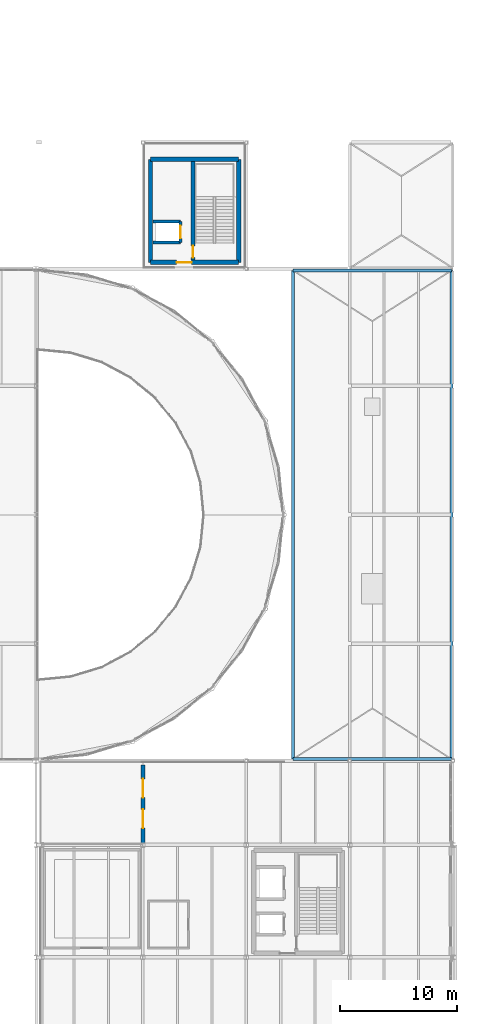
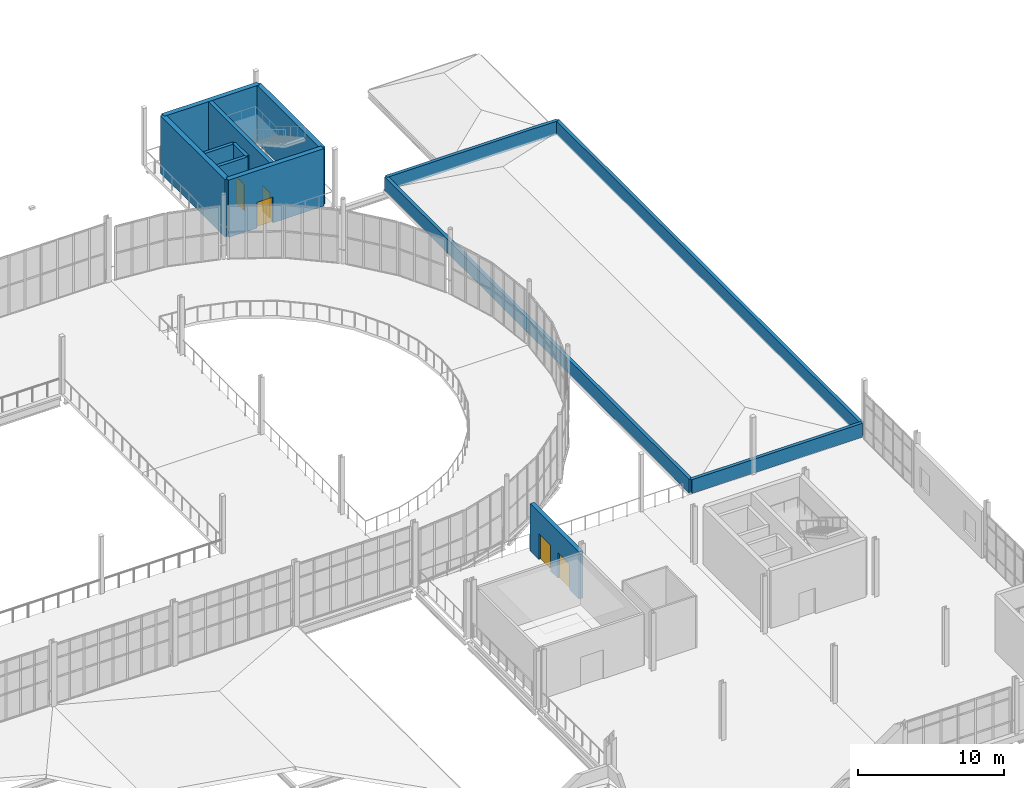
# One storey, part 97 of 112: 13 walls, 5 doors, 5 openings.
"""IFC4 building model written with IfcOpenShell, lengths in metres."""

from ifc_helpers import new_model, si_unit, direction, frame, frame_2d, origin, place, context, subcontext, project, spatial, rectangle, extrude, material, layer, layer_set, type_object, element, fill, save


model = new_model("IFC4")

# Units and contexts
model_context = context("Model", 3, precision=1e-05, world=origin(), true_north=direction((0.0, 1.0)))
body_context = subcontext(model_context, "Body", "Model", "MODEL_VIEW")
ifc_project = project(units=[si_unit("LENGTHUNIT", "METRE"), si_unit("AREAUNIT", "SQUARE_METRE"), si_unit("VOLUMEUNIT", "CUBIC_METRE"), si_unit("PLANEANGLEUNIT", "RADIAN"), si_unit("MASSUNIT", "GRAM", prefix="KILO")], contexts=[model_context])

# Site, building, storey
site_placement = place(None, origin())
site = spatial("IfcSite", under=ifc_project, at=site_placement, CompositionType="ELEMENT")
building_placement = place(site_placement, origin())
building = spatial("IfcBuilding", under=site, at=building_placement, Name="Yeouljin Market Hall", CompositionType="ELEMENT")
storey_placement = place(building_placement, frame((0.0, 0.0, 6.0)))
storey = spatial("IfcBuildingStorey", under=building, at=storey_placement, Name="L01", CompositionType="ELEMENT", Elevation=6.0)

# Wall, opening, door
ifc_material_1 = material(Name="Concrete C35/45", Category="concrete")
ifc_layer_1 = layer(ifc_material_1, 0.260009765625)
ifc_layer_set_1 = layer_set([ifc_layer_1], Name="Concrete C35/45")
wall_type_1 = type_object("IfcWallType", Name="Wall_Compartment_260", PredefinedType="SHEAR", material=ifc_layer_set_1)
wall_1_placement = place(storey_placement, frame((153.114990234375, 80.25, 0.0), z_axis=(0.0, 0.0, 1.0), x_axis=(0.0, 1.0, 0.0)))
wall_1 = element("IfcWall", 1, at=wall_1_placement, inside=storey, type_object=wall_type_1, Name="Lift LP-04 hoistway front wall (L01)", PredefinedType="SHEAR", context=body_context, shape_type="SweptSolid", body=[
    extrude(rectangle(XDim=1.800048828125, YDim=0.260009765625, at=frame_2d((0.89990234375, 0.0))), origin(), (0.0, 0.0, 1.0), 4.800048828125),
])
opening_1_placement = place(wall_1_placement, frame((0.35009765625, 0.0, 0.0)))
opening_1 = element("IfcOpeningElement", 2, at=opening_1_placement, cuts=wall_1, Name="Opening LD-LP-04-L01", PredefinedType="OPENING", context=body_context, shape_type="SweptSolid", body=[
    extrude(rectangle(XDim=1.10009765625, YDim=2.14990234375, at=frame_2d((0.550048828125, 1.074951171875))), frame((0.0, 0.139892578125, 0.0), z_axis=(0.0, -1.0, 0.0), x_axis=(1.0, 0.0, 0.0)), (0.0, 0.0, 1.0), 0.280029296875),
])
ifc_material_2 = material(Name="Brushed Stainless Steel", Category="steel")
door_type_1 = type_object("IfcDoorType", Name="LD-110", OperationType="SLIDING_TO_LEFT", PredefinedType="DOOR", material=ifc_material_2)
door_1_placement = place(opening_1_placement, origin())
door_1 = element("IfcDoor", 3, at=door_1_placement, inside=storey, type_object=door_type_1, Name="Lift landing sliding door LD-LP-04-L01", OperationType="SLIDING_TO_LEFT", OverallHeight=2.14990234375, OverallWidth=1.10009765625, PredefinedType="DOOR", context=body_context, shape_type="SweptSolid", body=[
    extrude(rectangle(XDim=1.10009765625, YDim=2.14990234375, at=frame_2d((0.550048828125, 1.074951171875))), frame((0.0, 0.02490234375, 0.0), z_axis=(0.0, -1.0, 0.0), x_axis=(1.0, 0.0, 0.0)), (0.0, 0.0, 1.0), 0.050048828125),
])
fill(opening_1, door_1)

# Walls
for number, where, z_axis, x_axis, name in (
    (4, (150.760009765625, 80.25, 0.0), (0.0, 0.0, 1.0), (1.0, 0.0, 0.0), "Lift LP-04 shaft cheek wall S (L01)"),
    (5, (150.760009765625, 82.050048828125, 0.0), (0.0, 0.0, 1.0), (1.0, 0.0, 0.0), "Lift LP-04 shaft cheek wall N (L01)"),
):
    element("IfcWall", number, at=place(storey_placement, frame(where, z_axis=z_axis, x_axis=x_axis)), inside=storey, type_object=wall_type_1, Name=name, PredefinedType="SHEAR", context=body_context, shape_type="SweptSolid", body=[
        extrude(rectangle(XDim=2.35498046875, YDim=0.260009765625, at=frame_2d((1.177490234375, 0.0))), origin(), (0.0, 0.0, 1.0), 4.800048828125),
    ])

# Wall, opening, door
ifc_material_3 = material(Name="Concrete C35/45", Category="concrete")
ifc_layer_2 = layer(ifc_material_3, 0.3798828125)
ifc_layer_set_2 = layer_set([ifc_layer_2], Name="Concrete C35/45")
wall_type_2 = type_object("IfcWallType", Name="Wall_CoreShear_380", PredefinedType="SHEAR", material=ifc_layer_set_2)
wall_2_placement = place(storey_placement, frame((150.56005859375, 78.550048828125, 0.0), z_axis=(0.0, 0.0, 1.0), x_axis=(1.0, 0.0, 0.0)))
wall_2 = element("IfcWall", 6, at=wall_2_placement, inside=storey, type_object=wall_type_2, Name="Core C4 south shear wall (L01)", PredefinedType="SHEAR", context=body_context, shape_type="SweptSolid", body=[
    extrude(rectangle(XDim=7.530029296875, YDim=0.3798828125, at=frame_2d((3.76513671875, 0.0))), origin(), (0.0, 0.0, 1.0), 4.800048828125),
])
opening_2_placement = place(wall_2_placement, frame((2.22998046875, 0.0, 0.0)))
opening_2 = element("IfcOpeningElement", 7, at=opening_2_placement, cuts=wall_2, Name="Opening FD-C4-L01-01", PredefinedType="OPENING", context=body_context, shape_type="SweptSolid", body=[
    extrude(rectangle(XDim=1.280029296875, YDim=2.14990234375, at=frame_2d((0.64013671875, 1.074951171875))), frame((0.0, 0.199951171875, 0.0), z_axis=(0.0, -1.0, 0.0), x_axis=(1.0, 0.0, 0.0)), (0.0, 0.0, 1.0), 0.39990234375),
])
ifc_material_4 = material(Name="Painted Fire-Rated Steel", Category="steel")
door_type_2 = type_object("IfcDoorType", Name="DT-FD128", OperationType="NOTDEFINED", PredefinedType="DOOR", material=ifc_material_4)
door_2_placement = place(opening_2_placement, origin())
door_2 = element("IfcDoor", 8, at=door_2_placement, inside=storey, type_object=door_type_2, Name="Core C4 lobby fire door (L01)", OperationType="SINGLE_SWING_LEFT", OverallHeight=2.14990234375, OverallWidth=1.280029296875, PredefinedType="DOOR", context=body_context, shape_type="SweptSolid", body=[
    extrude(rectangle(XDim=1.280029296875, YDim=2.14990234375, at=frame_2d((0.64013671875, 1.074951171875))), frame((0.0, 0.02490234375, 0.0), z_axis=(0.0, -1.0, 0.0), x_axis=(1.0, 0.0, 0.0)), (0.0, 0.0, 1.0), 0.050048828125),
])
fill(opening_2, door_2)

# Walls
wall_3_placement = place(storey_placement, frame((158.090087890625, 87.35009765625, 0.0), z_axis=(0.0, 0.0, 1.0), x_axis=(-1.0, 0.0, 0.0)))
element("IfcWall", 9, at=wall_3_placement, inside=storey, type_object=wall_type_2, Name="Core C4 north shear wall (L01)", PredefinedType="SHEAR", context=body_context, shape_type="SweptSolid", body=[
    extrude(rectangle(XDim=7.530029296875, YDim=0.3798828125, at=frame_2d((3.76513671875, 0.0))), origin(), (0.0, 0.0, 1.0), 4.800048828125),
])
for number, where, z_axis, x_axis, name in (
    (10, (150.56005859375, 87.35009765625, 0.0), (0.0, 0.0, 1.0), (0.0, -1.0, 0.0), "Core C4 west shear wall (L01)"),
    (11, (158.090087890625, 78.550048828125, 0.0), (0.0, 0.0, 1.0), (0.0, 1.0, 0.0), "Core C4 east shear wall (L01)"),
):
    element("IfcWall", number, at=place(storey_placement, frame(where, z_axis=z_axis, x_axis=x_axis)), inside=storey, type_object=wall_type_2, Name=name, PredefinedType="SHEAR", context=body_context, shape_type="SweptSolid", body=[
        extrude(rectangle(XDim=8.800048828125, YDim=0.3798828125, at=frame_2d((4.39990234375, 0.0))), origin(), (0.0, 0.0, 1.0), 4.800048828125),
    ])

# Wall, openings, doors
ifc_material_5 = material(Name="Clinker Brick Masonry F2-S2", Category="masonry")
ifc_layer_3 = layer(ifc_material_5, 0.330078125)
ifc_layer_set_3 = layer_set([ifc_layer_3], Name="Clinker Brick Masonry F2-S2")
wall_type_3 = type_object("IfcWallType", Name="Wall_Ext_ClinkerCavity_330", PredefinedType="SOLIDWALL", material=ifc_layer_set_3)
wall_4_placement = place(storey_placement, frame((149.909912109375, 28.98193359375, 0.0), z_axis=(0.0, 0.0, 1.0), x_axis=(0.0, 1.0, 0.0)))
wall_4 = element("IfcWall", 12, at=wall_4_placement, inside=storey, type_object=wall_type_3, Name="Exterior wall WE-L01-TRE-ACC", PredefinedType="SOLIDWALL", context=body_context, shape_type="SweptSolid", body=[
    extrude(rectangle(XDim=6.66796875, YDim=0.330078125, at=frame_2d((3.333984375, 0.0))), origin(), (0.0, 0.0, 1.0), 3.949951171875),
])
opening_3_placement = place(wall_4_placement, frame((1.26806640625, 0.0, 0.0)))
opening_3 = element("IfcOpeningElement", 13, at=opening_3_placement, cuts=wall_4, Name="Opening TD-L01-03", PredefinedType="OPENING", context=body_context, shape_type="SweptSolid", body=[
    extrude(rectangle(XDim=1.60009765625, YDim=2.14990234375, at=frame_2d((0.800048828125, 1.074951171875))), frame((0.0, 0.175048828125, 0.0), z_axis=(0.0, -1.0, 0.0), x_axis=(1.0, 0.0, 0.0)), (0.0, 0.0, 1.0), 0.35009765625),
])
opening_4_placement = place(wall_4_placement, frame((3.867919921875, 0.0, 0.0)))
opening_4 = element("IfcOpeningElement", 14, at=opening_4_placement, cuts=wall_4, Name="Opening TD-L01-04", PredefinedType="OPENING", context=body_context, shape_type="SweptSolid", body=[
    extrude(rectangle(XDim=1.60009765625, YDim=2.14990234375, at=frame_2d((0.800048828125, 1.074951171875))), frame((0.0, 0.175048828125, 0.0), z_axis=(0.0, -1.0, 0.0), x_axis=(1.0, 0.0, 0.0)), (0.0, 0.0, 1.0), 0.35009765625),
])
ifc_material_6 = material(Name="Thermally Broken Aluminium", Category="aluminium")
door_type_3 = type_object("IfcDoorType", Name="DT-TD160", OperationType="NOTDEFINED", PredefinedType="DOOR", material=ifc_material_6)
door_3_placement = place(opening_3_placement, origin())
door_3 = element("IfcDoor", 15, at=door_3_placement, inside=storey, type_object=door_type_3, Name="Exterior door TD-L01-03", OperationType="DOUBLE_DOOR_SINGLE_SWING", OverallHeight=2.14990234375, OverallWidth=1.60009765625, PredefinedType="DOOR", context=body_context, shape_type="SweptSolid", body=[
    extrude(rectangle(XDim=1.60009765625, YDim=2.14990234375, at=frame_2d((0.800048828125, 1.074951171875))), frame((0.0, 0.02490234375, 0.0), z_axis=(0.0, -1.0, 0.0), x_axis=(1.0, 0.0, 0.0)), (0.0, 0.0, 1.0), 0.050048828125),
])
fill(opening_3, door_3)
door_4_placement = place(opening_4_placement, origin())
door_4 = element("IfcDoor", 16, at=door_4_placement, inside=storey, type_object=door_type_3, Name="Exterior door TD-L01-04", OperationType="DOUBLE_DOOR_SINGLE_SWING", OverallHeight=2.14990234375, OverallWidth=1.60009765625, PredefinedType="DOOR", context=body_context, shape_type="SweptSolid", body=[
    extrude(rectangle(XDim=1.60009765625, YDim=2.14990234375, at=frame_2d((0.800048828125, 1.074951171875))), frame((0.0, 0.02490234375, 0.0), z_axis=(0.0, -1.0, 0.0), x_axis=(1.0, 0.0, 0.0)), (0.0, 0.0, 1.0), 0.050048828125),
])
fill(opening_4, door_4)

# Walls
ifc_material_7 = material(Name="Pocheon Granite Stone", Category="masonry")
ifc_layer_4 = layer(ifc_material_7, 0.260009765625)
ifc_layer_set_4 = layer_set([ifc_layer_4], Name="Pocheon Granite Stone")
wall_type_4 = type_object("IfcWallType", Name="Wall_Parapet_Granite_260", PredefinedType="PARAPET", material=ifc_layer_set_4)
wall_5_placement = place(storey_placement, frame((162.739990234375, 36.139892578125, 0.010009765625), z_axis=(0.0, 0.0, 1.0), x_axis=(1.0, 0.0, 0.0)))
element("IfcWall", 17, at=wall_5_placement, inside=storey, type_object=wall_type_4, Name="Roof parapet RSLB-V3-L01M-1", PredefinedType="PARAPET", context=body_context, shape_type="SweptSolid", body=[
    extrude(rectangle(XDim=13.52001953125, YDim=0.260009765625, at=frame_2d((6.760009765625, 0.0))), origin(), (0.0, 0.0, 1.0), 1.14990234375),
])
wall_6_placement = place(storey_placement, frame((176.260009765625, 36.139892578125, 0.010009765625), z_axis=(0.0, 0.0, 1.0), x_axis=(0.0, 1.0, 0.0)))
element("IfcWall", 18, at=wall_6_placement, inside=storey, type_object=wall_type_4, Name="Roof parapet RSLB-V3-L01M-2", PredefinedType="PARAPET", context=body_context, shape_type="SweptSolid", body=[
    extrude(rectangle(XDim=41.72021484375, YDim=0.260009765625, at=frame_2d((20.860107421875, 0.0))), origin(), (0.0, 0.0, 1.0), 1.14990234375),
])
wall_7_placement = place(storey_placement, frame((176.260009765625, 77.860107421875, 0.010009765625), z_axis=(0.0, 0.0, 1.0), x_axis=(-1.0, 0.0, 0.0)))
element("IfcWall", 19, at=wall_7_placement, inside=storey, type_object=wall_type_4, Name="Roof parapet RSLB-V3-L01M-3", PredefinedType="PARAPET", context=body_context, shape_type="SweptSolid", body=[
    extrude(rectangle(XDim=13.52001953125, YDim=0.260009765625, at=frame_2d((6.760009765625, 0.0))), origin(), (0.0, 0.0, 1.0), 1.14990234375),
])
wall_8_placement = place(storey_placement, frame((162.739990234375, 77.860107421875, 0.010009765625), z_axis=(0.0, 0.0, 1.0), x_axis=(0.0, -1.0, 0.0)))
element("IfcWall", 20, at=wall_8_placement, inside=storey, type_object=wall_type_4, Name="Roof parapet RSLB-V3-L01M-4", PredefinedType="PARAPET", context=body_context, shape_type="SweptSolid", body=[
    extrude(rectangle(XDim=41.72021484375, YDim=0.260009765625, at=frame_2d((20.860107421875, 0.0))), origin(), (0.0, 0.0, 1.0), 1.14990234375),
])

# Wall, opening, door
ifc_material_8 = material(Name="Concrete C35/45", Category="concrete")
ifc_layer_5 = layer(ifc_material_8, 0.300048828125)
ifc_layer_set_5 = layer_set([ifc_layer_5], Name="Concrete C35/45")
wall_type_5 = type_object("IfcWallType", Name="Wall_ShaftShear_300", PredefinedType="SHEAR", material=ifc_layer_set_5)
wall_9_placement = place(storey_placement, frame((154.18994140625, 78.75, 0.0), z_axis=(0.0, 0.0, 1.0), x_axis=(0.0, 1.0, 0.0)))
wall_9 = element("IfcWall", 21, at=wall_9_placement, inside=storey, type_object=wall_type_5, Name="Core C4 stairwell divider wall (L01)", PredefinedType="SHEAR", context=body_context, shape_type="SweptSolid", body=[
    extrude(rectangle(XDim=8.39990234375, YDim=0.300048828125, at=frame_2d((4.199951171875, 0.0))), origin(), (0.0, 0.0, 1.0), 4.800048828125),
])
opening_5_placement = place(wall_9_placement, frame((0.199951171875, 0.0, 0.0)))
opening_5 = element("IfcOpeningElement", 22, at=opening_5_placement, cuts=wall_9, Name="Opening SD-C4-L01", PredefinedType="OPENING", context=body_context, shape_type="SweptSolid", body=[
    extrude(rectangle(XDim=1.02001953125, YDim=2.10009765625, at=frame_2d((0.510009765625, 1.050048828125))), frame((0.0, 0.159912109375, 0.0), z_axis=(0.0, -1.0, 0.0), x_axis=(1.0, 0.0, 0.0)), (0.0, 0.0, 1.0), 0.320068359375),
])
ifc_material_9 = material(Name="Painted Fire-Rated Steel", Category="steel")
door_type_4 = type_object("IfcDoorType", Name="DT-FD102", OperationType="NOTDEFINED", PredefinedType="DOOR", material=ifc_material_9)
door_5_placement = place(opening_5_placement, origin())
door_5 = element("IfcDoor", 23, at=door_5_placement, inside=storey, type_object=door_type_4, Name="Core C4 exit stair door (L01)", OperationType="SINGLE_SWING_RIGHT", OverallHeight=2.10009765625, OverallWidth=1.02001953125, PredefinedType="DOOR", context=body_context, shape_type="SweptSolid", body=[
    extrude(rectangle(XDim=1.02001953125, YDim=2.10009765625, at=frame_2d((0.510009765625, 1.050048828125))), frame((0.0, 0.02490234375, 0.0), z_axis=(0.0, -1.0, 0.0), x_axis=(1.0, 0.0, 0.0)), (0.0, 0.0, 1.0), 0.050048828125),
])
fill(opening_5, door_5)

save(model, "model.ifc")
